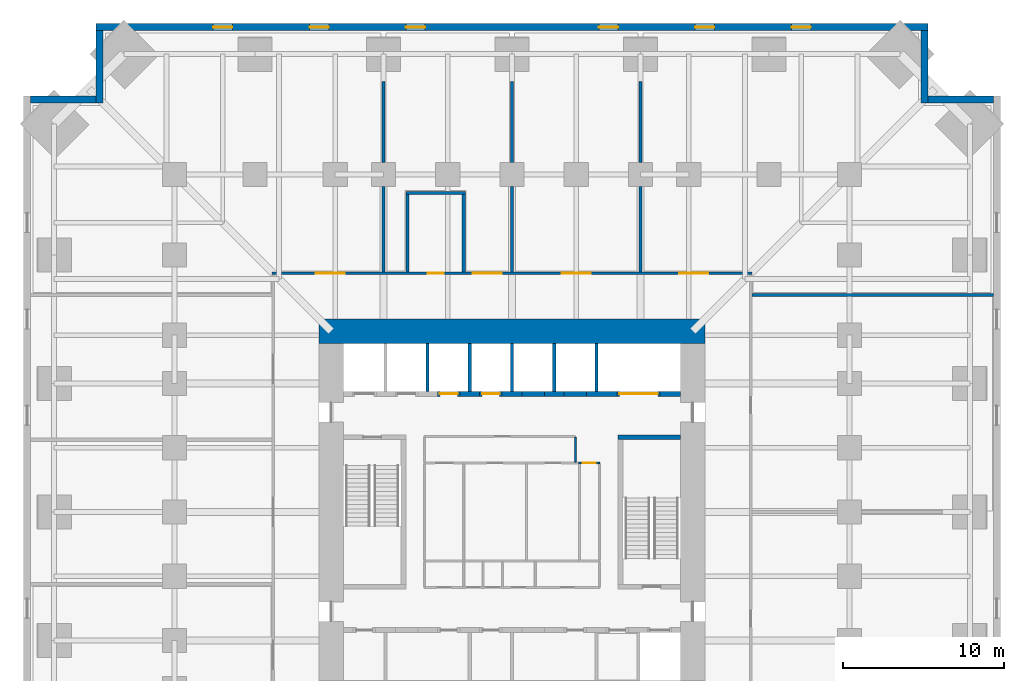
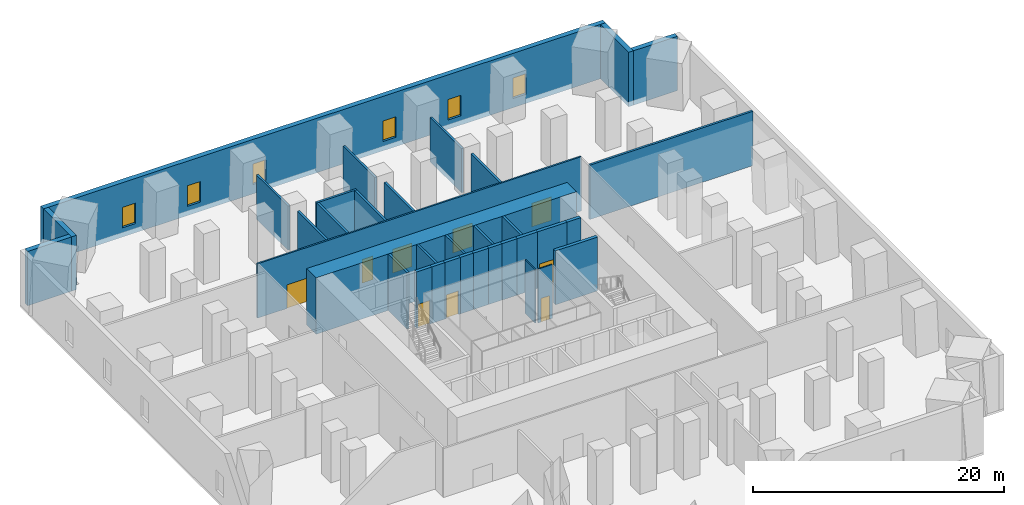
# One storey, part 6 of 8: 35 walls, 9 doors, 6 windows, 15 openings.
"""IFC4 building model written with IfcOpenShell, lengths in metres."""

import ifcopenshell
import ifcopenshell.guid

model = None  # the IFC model being written
_history = None  # IfcOwnerHistory: only IFC2X3 demands one
_inside = {}  # id of a spatial element -> (the spatial element, [elements in it])
_under = {}  # id of a project, library or spatial element -> (it, [spatial elements below it])
_declared = {}  # id of a project -> (the project, [libraries it declares])
_typed = {}  # id of a type object -> (the type object, [elements of that type])
_made_of = {}  # id of a material, layer set ... -> (it, [elements and type objects made of it])


def new_model(schema):
    """Start an empty IFC model of exactly this schema.

    Asked for "IFC4X3", IfcOpenShell would pick the latest addendum, in which some entities
    have other attributes; the version numbers below select the first issue.
    IFC2X3 requires an IfcOwnerHistory on every rooted entity: one is made here for all.
    """
    global model, _history
    if schema == "IFC4X3":
        model = ifcopenshell.file(schema_version=(4, 3, 0, 0))
    else:
        model = ifcopenshell.file(schema=schema)
    _inside.clear()
    _under.clear()
    _declared.clear()
    _typed.clear()
    _made_of.clear()
    _history = None
    if model.schema == "IFC2X3":
        org = make("IfcOrganization", Name="unknown")
        user = make(
            "IfcPersonAndOrganization",
            ThePerson=make("IfcPerson", FamilyName="unknown"),
            TheOrganization=org,
        )
        app = make(
            "IfcApplication",
            ApplicationDeveloper=org,
            Version="unknown",
            ApplicationFullName="unknown",
            ApplicationIdentifier="unknown",
        )
        _history = make(
            "IfcOwnerHistory",
            OwningUser=user,
            OwningApplication=app,
            ChangeAction="ADDED",
            CreationDate=0,
        )
    return model


def make(cls, **values):
    """One entity of the class cls with the attributes given. An attribute that is None is left unset."""
    return model.create_entity(
        cls, **{name: value for name, value in values.items() if value is not None}
    )


def rooted(cls, **values):
    """An entity with a GlobalId (a new one), such as an element, a storey or a relation."""
    return make(cls, GlobalId=ifcopenshell.guid.new(), OwnerHistory=_history, **values)


def si_unit(unit_type, name, prefix=None):
    """IfcSIUnit, for example si_unit("LENGTHUNIT", "METRE", prefix="MILLI")."""
    return make("IfcSIUnit", UnitType=unit_type, Prefix=prefix, Name=name)


def assignment(units):
    """IfcUnitAssignment: the units of a project."""
    return None if units is None else make("IfcUnitAssignment", Units=units)


def point(xyz):
    """IfcCartesianPoint."""
    return None if xyz is None else make("IfcCartesianPoint", Coordinates=xyz)


def direction(xyz):
    """IfcDirection."""
    return None if xyz is None else make("IfcDirection", DirectionRatios=xyz)


def frame(location, z_axis=None, x_axis=None):
    """IfcAxis2Placement3D, a coordinate frame: its origin and axes. An axis left out is left unset."""
    return make(
        "IfcAxis2Placement3D",
        Location=point(location),
        Axis=direction(z_axis),
        RefDirection=direction(x_axis),
    )


def frame_2d(location, x_axis=None):
    """IfcAxis2Placement2D, a coordinate frame in the plane: its origin and x axis."""
    return make(
        "IfcAxis2Placement2D", Location=point(location), RefDirection=direction(x_axis)
    )


def origin():
    """The frame at (0, 0, 0) with its axes left unset."""
    return frame((0.0, 0.0, 0.0))


def place(relative_to, where):
    """IfcLocalPlacement: puts the frame where relative to a parent placement (None: the world)."""
    return make(
        "IfcLocalPlacement", PlacementRelTo=relative_to, RelativePlacement=where
    )


def context(
    kind, dimensions, precision=None, world=None, true_north=None, identifier=None
):
    """IfcGeometricRepresentationContext, for example the 3D "Model" context."""
    return make(
        "IfcGeometricRepresentationContext",
        ContextIdentifier=identifier,
        ContextType=kind,
        CoordinateSpaceDimension=dimensions,
        Precision=precision,
        WorldCoordinateSystem=world,
        TrueNorth=true_north,
    )


def subcontext(parent, identifier, kind, view, scale=None):
    """IfcGeometricRepresentationSubContext, for example "Body" below "Model"."""
    return make(
        "IfcGeometricRepresentationSubContext",
        ContextIdentifier=identifier,
        ContextType=kind,
        ParentContext=parent,
        TargetScale=scale,
        TargetView=view,
    )


def project(units=None, contexts=None):
    """IfcProject with its units and contexts."""
    return rooted(
        "IfcProject",
        Name="project",
        RepresentationContexts=contexts,
        UnitsInContext=assignment(units),
    )


def spatial(cls, under=None, at=None, **own):
    """A site, building, storey or space (cls), placed at a placement, below another one or the project."""
    s = rooted(cls, ObjectPlacement=at, **own)
    if under is not None:
        _under.setdefault(under.id(), (under, []))[1].append(s)
    return s


def profile(cls, at=None, kind="AREA", **sizes):
    """A parametric profile (cls). Its sizes go by their IFC names, for example OverallWidth=200.0."""
    return make(cls, ProfileType=kind, Position=at, **sizes)


def rectangle(**sizes):
    """IfcRectangleProfileDef."""
    return profile("IfcRectangleProfileDef", **sizes)


def extrude(swept, where, along, depth):
    """IfcExtrudedAreaSolid: the profile swept, set in the frame where, extruded along a direction by depth."""
    return make(
        "IfcExtrudedAreaSolid",
        SweptArea=swept,
        Position=where,
        ExtrudedDirection=direction(along),
        Depth=depth,
    )


def shape(context_of_items, identifier, shape_type, items):
    """IfcShapeRepresentation: the items that make up one representation, for example the "Body"."""
    return make(
        "IfcShapeRepresentation",
        ContextOfItems=context_of_items,
        RepresentationIdentifier=identifier,
        RepresentationType=shape_type,
        Items=items,
    )


def material(Name=None, Category=None):
    """IfcMaterial."""
    return make("IfcMaterial", Name=Name, Category=Category)


def layer(
    of_material, thickness, ventilated=None, Name=None, Category=None, Priority=None
):
    """IfcMaterialLayer: one layer of a wall or slab, of a material (None: an air gap)."""
    return make(
        "IfcMaterialLayer",
        Material=of_material,
        LayerThickness=thickness,
        IsVentilated=ventilated,
        Name=Name,
        Category=Category,
        Priority=Priority,
    )


def layer_set(layers, Name=None):
    """IfcMaterialLayerSet."""
    return make("IfcMaterialLayerSet", MaterialLayers=layers, LayerSetName=Name)


def made_of(thing, what):
    """Note that an element or type object is made of a material, layer set ...; save() writes the relation."""
    if what is not None:
        _made_of.setdefault(what.id(), (what, []))[1].append(thing)
    return thing


def type_object(cls, material=None, **own):
    """A type object (cls), such as IfcWallType, which elements share."""
    return made_of(rooted(cls, **own), material)


def element(
    cls,
    number,
    at=None,
    inside=None,
    cuts=None,
    type_object=None,
    material=None,
    context=None,
    identifier="Body",
    shape_type=None,
    held_by="IfcProductDefinitionShape",
    body=None,
    shapes=None,
    **own,
):
    """One element of the class cls, such as IfcWall. Its Tag is "e" and its number.

    at: its placement. inside: the storey or other place that contains it. cuts: it is an
    opening in that element (IfcRelVoidsElement). A single representation is given by context,
    identifier, shape_type and body (its items); several are given by shapes. held_by: the class
    of the entity that holds the representations. save() writes the other relations.
    """
    e = rooted(cls, Tag="e%d" % number, ObjectPlacement=at, **own)
    if body is not None:
        shapes = [shape(context, identifier, shape_type, body)]
    if shapes is not None:
        e.Representation = make(held_by, Representations=shapes)
    if inside is not None:
        _inside.setdefault(inside.id(), (inside, []))[1].append(e)
    if cuts is not None:
        rooted(
            "IfcRelVoidsElement", RelatingBuildingElement=cuts, RelatedOpeningElement=e
        )
    if type_object is not None:
        _typed.setdefault(type_object.id(), (type_object, []))[1].append(e)
    return made_of(e, material)


def fill(opening, filler):
    """IfcRelFillsElement: the door or window that sits in an opening."""
    return rooted(
        "IfcRelFillsElement",
        RelatingOpeningElement=opening,
        RelatedBuildingElement=filler,
    )


def aggregate(whole, parts):
    """IfcRelAggregates: a whole, such as a stair, and the parts it consists of."""
    return rooted("IfcRelAggregates", RelatingObject=whole, RelatedObjects=parts)


def save(model, path):
    """Write the relations noted so far, then the file.

    IfcRelAggregates (storeys below a building ...), IfcRelContainedInSpatialStructure (elements
    in a storey), IfcRelDefinesByType, IfcRelAssociatesMaterial and IfcRelDeclares: one each for
    every whole, place, type object, material and project.
    """
    for whole, parts in _under.values():
        aggregate(whole, parts)
    for where, things in _inside.values():
        rooted(
            "IfcRelContainedInSpatialStructure",
            RelatedElements=things,
            RelatingStructure=where,
        )
    for kind, things in _typed.values():
        rooted("IfcRelDefinesByType", RelatedObjects=things, RelatingType=kind)
    for what, things in _made_of.values():
        rooted("IfcRelAssociatesMaterial", RelatedObjects=things, RelatingMaterial=what)
    for by, libraries in _declared.values():
        rooted("IfcRelDeclares", RelatingContext=by, RelatedDefinitions=libraries)
    model.write(path)


model = new_model("IFC4")

# Units and contexts
model_context = context("Model", 3, precision=1e-05, world=origin(), true_north=direction((0.0, 1.0)))
body_context = subcontext(model_context, "Body", "Model", "MODEL_VIEW")
ifc_project = project(units=[si_unit("LENGTHUNIT", "METRE"), si_unit("AREAUNIT", "SQUARE_METRE"), si_unit("VOLUMEUNIT", "CUBIC_METRE"), si_unit("PLANEANGLEUNIT", "RADIAN"), si_unit("MASSUNIT", "GRAM", prefix="KILO")], contexts=[model_context])

# Site, building, storey
site_placement = place(None, origin())
site = spatial("IfcSite", under=ifc_project, at=site_placement, CompositionType="ELEMENT")
building_placement = place(site_placement, origin())
building = spatial("IfcBuilding", under=site, at=building_placement, Name="Peilmerk Tower", CompositionType="ELEMENT")
storey_placement = place(building_placement, frame((0.0, 0.0, 59.5)))
storey = spatial("IfcBuildingStorey", under=building, at=storey_placement, Name="L11", CompositionType="ELEMENT", Elevation=59.5)

# Wall, openings, windows
ifc_material_1 = material(Name="Precast concrete C45/55, board-marked finish", Category="concrete")
ifc_layer_1 = layer(ifc_material_1, 0.449951171875)
ifc_layer_set_1 = layer_set([ifc_layer_1], Name="Precast concrete C45/55, board-marked finish")
wall_type_1 = type_object("IfcWallType", Name="EW1 450 precast concrete facade wall, board-marked", PredefinedType="SOLIDWALL", material=ifc_layer_set_1)
wall_1_placement = place(storey_placement, frame((25.89990234375, 30.175048828125, 0.0), z_axis=(0.0, 0.0, 1.0), x_axis=(-1.0, 0.0, 0.0)))
wall_1 = element("IfcWall", 1, at=wall_1_placement, inside=storey, type_object=wall_type_1, Name="Facade wall N L11", PredefinedType="SOLIDWALL", context=body_context, shape_type="SweptSolid", body=[
    extrude(rectangle(XDim=51.7998046875, YDim=0.449951171875, at=frame_2d((25.89990234375, 0.0))), origin(), (0.0, 0.0, 1.0), 5.300048828125),
])
opening_1_placement = place(wall_1_placement, frame((7.300048828125, 0.0, 0.89990234375)))
opening_1 = element("IfcOpeningElement", 2, at=opening_1_placement, cuts=wall_1, Name="Opening W2", PredefinedType="OPENING", context=body_context, shape_type="SweptSolid", body=[
    extrude(rectangle(XDim=1.199951171875, YDim=2.0, at=frame_2d((0.60009765625, 1.0))), frame((0.0, 0.23486328125, 0.0), z_axis=(0.0, -1.0, 0.0), x_axis=(1.0, 0.0, 0.0)), (0.0, 0.0, 1.0), 0.469970703125),
])
opening_2_placement = place(wall_1_placement, frame((13.300048828125, 0.0, 0.89990234375)))
opening_2 = element("IfcOpeningElement", 3, at=opening_2_placement, cuts=wall_1, Name="Opening W2", PredefinedType="OPENING", context=body_context, shape_type="SweptSolid", body=[
    extrude(rectangle(XDim=1.199951171875, YDim=2.0, at=frame_2d((0.60009765625, 1.0))), frame((0.0, 0.23486328125, 0.0), z_axis=(0.0, -1.0, 0.0), x_axis=(1.0, 0.0, 0.0)), (0.0, 0.0, 1.0), 0.469970703125),
])
opening_3_placement = place(wall_1_placement, frame((19.300048828125, 0.0, 0.89990234375)))
opening_3 = element("IfcOpeningElement", 4, at=opening_3_placement, cuts=wall_1, Name="Opening W2", PredefinedType="OPENING", context=body_context, shape_type="SweptSolid", body=[
    extrude(rectangle(XDim=1.199951171875, YDim=2.0, at=frame_2d((0.60009765625, 1.0))), frame((0.0, 0.23486328125, 0.0), z_axis=(0.0, -1.0, 0.0), x_axis=(1.0, 0.0, 0.0)), (0.0, 0.0, 1.0), 0.469970703125),
])
opening_4_placement = place(wall_1_placement, frame((31.300048828125, 0.0, 0.89990234375)))
opening_4 = element("IfcOpeningElement", 5, at=opening_4_placement, cuts=wall_1, Name="Opening W2", PredefinedType="OPENING", context=body_context, shape_type="SweptSolid", body=[
    extrude(rectangle(XDim=1.199951171875, YDim=2.0, at=frame_2d((0.60009765625, 1.0))), frame((0.0, 0.23486328125, 0.0), z_axis=(0.0, -1.0, 0.0), x_axis=(1.0, 0.0, 0.0)), (0.0, 0.0, 1.0), 0.469970703125),
])
opening_5_placement = place(wall_1_placement, frame((37.300048828125, 0.0, 0.89990234375)))
opening_5 = element("IfcOpeningElement", 6, at=opening_5_placement, cuts=wall_1, Name="Opening W2", PredefinedType="OPENING", context=body_context, shape_type="SweptSolid", body=[
    extrude(rectangle(XDim=1.199951171875, YDim=2.0, at=frame_2d((0.60009765625, 1.0))), frame((0.0, 0.23486328125, 0.0), z_axis=(0.0, -1.0, 0.0), x_axis=(1.0, 0.0, 0.0)), (0.0, 0.0, 1.0), 0.469970703125),
])
opening_6_placement = place(wall_1_placement, frame((43.300048828125, 0.0, 0.89990234375)))
opening_6 = element("IfcOpeningElement", 7, at=opening_6_placement, cuts=wall_1, Name="Opening W2", PredefinedType="OPENING", context=body_context, shape_type="SweptSolid", body=[
    extrude(rectangle(XDim=1.199951171875, YDim=2.0, at=frame_2d((0.60009765625, 1.0))), frame((0.0, 0.23486328125, 0.0), z_axis=(0.0, -1.0, 0.0), x_axis=(1.0, 0.0, 0.0)), (0.0, 0.0, 1.0), 0.469970703125),
])
ifc_material_2 = material(Name="Aluminium frame, clear double glazing", Category="aluminium")
window_type = type_object("IfcWindowType", Name="W2 1200x2000 data hall slot window", PartitioningType="SINGLE_PANEL", PredefinedType="WINDOW", material=ifc_material_2)
window_1_placement = place(opening_1_placement, origin())
window_1 = element("IfcWindow", 8, at=window_1_placement, inside=storey, type_object=window_type, Name="Window W2 L11", OverallHeight=2.0, OverallWidth=1.199951171875, PartitioningType="SINGLE_PANEL", PredefinedType="WINDOW", context=body_context, shape_type="SweptSolid", body=[
    extrude(rectangle(XDim=1.199951171875, YDim=2.0, at=frame_2d((0.60009765625, 1.0))), frame((0.0, 0.030029296875, 0.0), z_axis=(0.0, -1.0, 0.0), x_axis=(1.0, 0.0, 0.0)), (0.0, 0.0, 1.0), 0.06005859375),
])
fill(opening_1, window_1)
window_2_placement = place(opening_2_placement, origin())
window_2 = element("IfcWindow", 9, at=window_2_placement, inside=storey, type_object=window_type, Name="Window W2 L11", OverallHeight=2.0, OverallWidth=1.199951171875, PartitioningType="SINGLE_PANEL", PredefinedType="WINDOW", context=body_context, shape_type="SweptSolid", body=[
    extrude(rectangle(XDim=1.199951171875, YDim=2.0, at=frame_2d((0.60009765625, 1.0))), frame((0.0, 0.030029296875, 0.0), z_axis=(0.0, -1.0, 0.0), x_axis=(1.0, 0.0, 0.0)), (0.0, 0.0, 1.0), 0.06005859375),
])
fill(opening_2, window_2)
window_3_placement = place(opening_3_placement, origin())
window_3 = element("IfcWindow", 10, at=window_3_placement, inside=storey, type_object=window_type, Name="Window W2 L11", OverallHeight=2.0, OverallWidth=1.199951171875, PartitioningType="SINGLE_PANEL", PredefinedType="WINDOW", context=body_context, shape_type="SweptSolid", body=[
    extrude(rectangle(XDim=1.199951171875, YDim=2.0, at=frame_2d((0.60009765625, 1.0))), frame((0.0, 0.030029296875, 0.0), z_axis=(0.0, -1.0, 0.0), x_axis=(1.0, 0.0, 0.0)), (0.0, 0.0, 1.0), 0.06005859375),
])
fill(opening_3, window_3)
window_4_placement = place(opening_4_placement, origin())
window_4 = element("IfcWindow", 11, at=window_4_placement, inside=storey, type_object=window_type, Name="Window W2 L11", OverallHeight=2.0, OverallWidth=1.199951171875, PartitioningType="SINGLE_PANEL", PredefinedType="WINDOW", context=body_context, shape_type="SweptSolid", body=[
    extrude(rectangle(XDim=1.199951171875, YDim=2.0, at=frame_2d((0.60009765625, 1.0))), frame((0.0, 0.030029296875, 0.0), z_axis=(0.0, -1.0, 0.0), x_axis=(1.0, 0.0, 0.0)), (0.0, 0.0, 1.0), 0.06005859375),
])
fill(opening_4, window_4)
window_5_placement = place(opening_5_placement, origin())
window_5 = element("IfcWindow", 12, at=window_5_placement, inside=storey, type_object=window_type, Name="Window W2 L11", OverallHeight=2.0, OverallWidth=1.199951171875, PartitioningType="SINGLE_PANEL", PredefinedType="WINDOW", context=body_context, shape_type="SweptSolid", body=[
    extrude(rectangle(XDim=1.199951171875, YDim=2.0, at=frame_2d((0.60009765625, 1.0))), frame((0.0, 0.030029296875, 0.0), z_axis=(0.0, -1.0, 0.0), x_axis=(1.0, 0.0, 0.0)), (0.0, 0.0, 1.0), 0.06005859375),
])
fill(opening_5, window_5)
window_6_placement = place(opening_6_placement, origin())
window_6 = element("IfcWindow", 13, at=window_6_placement, inside=storey, type_object=window_type, Name="Window W2 L11", OverallHeight=2.0, OverallWidth=1.199951171875, PartitioningType="SINGLE_PANEL", PredefinedType="WINDOW", context=body_context, shape_type="SweptSolid", body=[
    extrude(rectangle(XDim=1.199951171875, YDim=2.0, at=frame_2d((0.60009765625, 1.0))), frame((0.0, 0.030029296875, 0.0), z_axis=(0.0, -1.0, 0.0), x_axis=(1.0, 0.0, 0.0)), (0.0, 0.0, 1.0), 0.06005859375),
])
fill(opening_6, window_6)

# Walls
wall_2_placement = place(storey_placement, frame((25.675048828125, 25.449951171875, 0.0), z_axis=(0.0, 0.0, 1.0), x_axis=(0.0, 1.0, 0.0)))
element("IfcWall", 14, at=wall_2_placement, inside=storey, type_object=wall_type_1, Name="Facade wall NEA L11", PredefinedType="SOLIDWALL", context=body_context, shape_type="SweptSolid", body=[
    extrude(rectangle(XDim=4.5, YDim=0.449951171875, at=frame_2d((2.25, 0.0))), origin(), (0.0, 0.0, 1.0), 5.300048828125),
])
wall_3_placement = place(storey_placement, frame((25.89990234375, 25.675048828125, 0.0), z_axis=(0.0, 0.0, 1.0), x_axis=(1.0, 0.0, 0.0)))
element("IfcWall", 15, at=wall_3_placement, inside=storey, type_object=wall_type_1, Name="Facade wall NEB L11", PredefinedType="SOLIDWALL", context=body_context, shape_type="SweptSolid", body=[
    extrude(rectangle(XDim=4.050048828125, YDim=0.449951171875, at=frame_2d((2.02490234375, 0.0))), origin(), (0.0, 0.0, 1.0), 5.300048828125),
])
wall_4_placement = place(storey_placement, frame((-25.675048828125, 25.449951171875, 0.0), z_axis=(0.0, 0.0, 1.0), x_axis=(0.0, 1.0, 0.0)))
element("IfcWall", 16, at=wall_4_placement, inside=storey, type_object=wall_type_1, Name="Facade wall NWA L11", PredefinedType="SOLIDWALL", context=body_context, shape_type="SweptSolid", body=[
    extrude(rectangle(XDim=4.5, YDim=0.449951171875, at=frame_2d((2.25, 0.0))), origin(), (0.0, 0.0, 1.0), 5.300048828125),
])
wall_5_placement = place(storey_placement, frame((-25.89990234375, 25.675048828125, 0.0), z_axis=(0.0, 0.0, 1.0), x_axis=(-1.0, 0.0, 0.0)))
element("IfcWall", 17, at=wall_5_placement, inside=storey, type_object=wall_type_1, Name="Facade wall NWB L11", PredefinedType="SOLIDWALL", context=body_context, shape_type="SweptSolid", body=[
    extrude(rectangle(XDim=4.050048828125, YDim=0.449951171875, at=frame_2d((2.02490234375, 0.0))), origin(), (0.0, 0.0, 1.0), 5.300048828125),
])

# Wall, openings, doors
ifc_material_3 = material(Name="Calcium silicate block", Category="masonry")
ifc_layer_2 = layer(ifc_material_3, 0.14990234375)
ifc_layer_set_2 = layer_set([ifc_layer_2], Name="Calcium silicate block")
wall_type_2 = type_object("IfcWallType", Name="IW1 150 corridor partition, EI 60", PredefinedType="PARTITIONING", material=ifc_layer_set_2)
wall_6_placement = place(storey_placement, frame((-14.925048828125, 14.85009765625, 0.0), z_axis=(0.0, 0.0, 1.0), x_axis=(1.0, 0.0, 0.0)))
wall_6 = element("IfcWall", 18, at=wall_6_placement, inside=storey, type_object=wall_type_2, Name="Corridor wall N L11", PredefinedType="PARTITIONING", context=body_context, shape_type="SweptSolid", body=[
    extrude(rectangle(XDim=29.85009765625, YDim=0.14990234375, at=frame_2d((14.925048828125, 0.0))), origin(), (0.0, 0.0, 1.0), 5.300048828125),
])
opening_7_placement = place(wall_6_placement, frame((2.72509765625, 0.0, 0.0)))
opening_7 = element("IfcOpeningElement", 19, at=opening_7_placement, cuts=wall_6, Name="Opening D2", PredefinedType="OPENING", context=body_context, shape_type="SweptSolid", body=[
    extrude(rectangle(XDim=1.800048828125, YDim=2.300048828125, at=frame_2d((0.89990234375, 1.14990234375))), frame((0.0, 0.0849609375, 0.0), z_axis=(0.0, -1.0, 0.0), x_axis=(1.0, 0.0, 0.0)), (0.0, 0.0, 1.0), 0.169921875),
])
opening_8_placement = place(wall_6_placement, frame((12.47509765625, 0.0, 0.0)))
opening_8 = element("IfcOpeningElement", 20, at=opening_8_placement, cuts=wall_6, Name="Opening D2", PredefinedType="OPENING", context=body_context, shape_type="SweptSolid", body=[
    extrude(rectangle(XDim=1.800048828125, YDim=2.300048828125, at=frame_2d((0.89990234375, 1.14990234375))), frame((0.0, 0.0849609375, 0.0), z_axis=(0.0, -1.0, 0.0), x_axis=(1.0, 0.0, 0.0)), (0.0, 0.0, 1.0), 0.169921875),
])
opening_9_placement = place(wall_6_placement, frame((18.02490234375, 0.0, 0.0)))
opening_9 = element("IfcOpeningElement", 21, at=opening_9_placement, cuts=wall_6, Name="Opening D2", PredefinedType="OPENING", context=body_context, shape_type="SweptSolid", body=[
    extrude(rectangle(XDim=1.800048828125, YDim=2.300048828125, at=frame_2d((0.89990234375, 1.14990234375))), frame((0.0, 0.0849609375, 0.0), z_axis=(0.0, -1.0, 0.0), x_axis=(1.0, 0.0, 0.0)), (0.0, 0.0, 1.0), 0.169921875),
])
opening_10_placement = place(wall_6_placement, frame((25.324951171875, 0.0, 0.0)))
opening_10 = element("IfcOpeningElement", 22, at=opening_10_placement, cuts=wall_6, Name="Opening D2", PredefinedType="OPENING", context=body_context, shape_type="SweptSolid", body=[
    extrude(rectangle(XDim=1.800048828125, YDim=2.300048828125, at=frame_2d((0.89990234375, 1.14990234375))), frame((0.0, 0.0849609375, 0.0), z_axis=(0.0, -1.0, 0.0), x_axis=(1.0, 0.0, 0.0)), (0.0, 0.0, 1.0), 0.169921875),
])
opening_11_placement = place(wall_6_placement, frame((9.675048828125, 0.0, 0.0)))
opening_11 = element("IfcOpeningElement", 23, at=opening_11_placement, cuts=wall_6, Name="Opening D1", PredefinedType="OPENING", context=body_context, shape_type="SweptSolid", body=[
    extrude(rectangle(XDim=1.0, YDim=2.300048828125, at=frame_2d((0.5, 1.14990234375))), frame((0.0, 0.0849609375, 0.0), z_axis=(0.0, -1.0, 0.0), x_axis=(1.0, 0.0, 0.0)), (0.0, 0.0, 1.0), 0.169921875),
])
ifc_material_4 = material(Name="Timber door in steel frame", Category="steel")
door_type_1 = type_object("IfcDoorType", Name="D1 1000x2300 room door, EI2 30", OperationType="SINGLE_SWING_LEFT", PredefinedType="DOOR", material=ifc_material_4)
door_1_placement = place(opening_11_placement, origin())
door_1 = element("IfcDoor", 24, at=door_1_placement, inside=storey, type_object=door_type_1, Name="Door Customer meeting room L11", OperationType="SINGLE_SWING_LEFT", OverallHeight=2.300048828125, OverallWidth=1.0, PredefinedType="DOOR", context=body_context, shape_type="SweptSolid", body=[
    extrude(rectangle(XDim=1.0, YDim=2.300048828125, at=frame_2d((0.5, 1.14990234375))), frame((0.0, 0.02490234375, 0.0), z_axis=(0.0, -1.0, 0.0), x_axis=(1.0, 0.0, 0.0)), (0.0, 0.0, 1.0), 0.050048828125),
])
fill(opening_11, door_1)
ifc_material_5 = material(Name="Steel door in steel frame", Category="steel")
door_type_2 = type_object("IfcDoorType", Name="D2 1800x2300 double door, EI2 60", OperationType="DOUBLE_DOOR_DOUBLE_SWING", PredefinedType="DOOR", material=ifc_material_5)
door_2_placement = place(opening_7_placement, origin())
door_2 = element("IfcDoor", 25, at=door_2_placement, inside=storey, type_object=door_type_2, Name="Door Data suite A L11", OperationType="DOUBLE_DOOR_DOUBLE_SWING", OverallHeight=2.300048828125, OverallWidth=1.800048828125, PredefinedType="DOOR", context=body_context, shape_type="SweptSolid", body=[
    extrude(rectangle(XDim=1.800048828125, YDim=2.300048828125, at=frame_2d((0.89990234375, 1.14990234375))), frame((0.0, 0.02490234375, 0.0), z_axis=(0.0, -1.0, 0.0), x_axis=(1.0, 0.0, 0.0)), (0.0, 0.0, 1.0), 0.050048828125),
])
fill(opening_7, door_2)
door_3_placement = place(opening_8_placement, origin())
door_3 = element("IfcDoor", 26, at=door_3_placement, inside=storey, type_object=door_type_2, Name="Door Data suite B L11", OperationType="DOUBLE_DOOR_DOUBLE_SWING", OverallHeight=2.300048828125, OverallWidth=1.800048828125, PredefinedType="DOOR", context=body_context, shape_type="SweptSolid", body=[
    extrude(rectangle(XDim=1.800048828125, YDim=2.300048828125, at=frame_2d((0.89990234375, 1.14990234375))), frame((0.0, 0.02490234375, 0.0), z_axis=(0.0, -1.0, 0.0), x_axis=(1.0, 0.0, 0.0)), (0.0, 0.0, 1.0), 0.050048828125),
])
fill(opening_8, door_3)
door_4_placement = place(opening_9_placement, origin())
door_4 = element("IfcDoor", 27, at=door_4_placement, inside=storey, type_object=door_type_2, Name="Door Data suite C L11", OperationType="DOUBLE_DOOR_DOUBLE_SWING", OverallHeight=2.300048828125, OverallWidth=1.800048828125, PredefinedType="DOOR", context=body_context, shape_type="SweptSolid", body=[
    extrude(rectangle(XDim=1.800048828125, YDim=2.300048828125, at=frame_2d((0.89990234375, 1.14990234375))), frame((0.0, 0.02490234375, 0.0), z_axis=(0.0, -1.0, 0.0), x_axis=(1.0, 0.0, 0.0)), (0.0, 0.0, 1.0), 0.050048828125),
])
fill(opening_9, door_4)
door_5_placement = place(opening_10_placement, origin())
door_5 = element("IfcDoor", 28, at=door_5_placement, inside=storey, type_object=door_type_2, Name="Door Data suite D L11", OperationType="DOUBLE_DOOR_DOUBLE_SWING", OverallHeight=2.300048828125, OverallWidth=1.800048828125, PredefinedType="DOOR", context=body_context, shape_type="SweptSolid", body=[
    extrude(rectangle(XDim=1.800048828125, YDim=2.300048828125, at=frame_2d((0.89990234375, 1.14990234375))), frame((0.0, 0.02490234375, 0.0), z_axis=(0.0, -1.0, 0.0), x_axis=(1.0, 0.0, 0.0)), (0.0, 0.0, 1.0), 0.050048828125),
])
fill(opening_10, door_5)

# Walls
ifc_layer_3 = layer(ifc_material_3, 0.199951171875)
ifc_layer_set_3 = layer_set([ifc_layer_3], Name="Calcium silicate block")
wall_type_3 = type_object("IfcWallType", Name="IW2 200 room separating wall, EI 120", PredefinedType="PARTITIONING", material=ifc_layer_set_3)
wall_7_placement = place(storey_placement, frame((14.925048828125, 13.5, 0.0), z_axis=(0.0, 0.0, 1.0), x_axis=(1.0, 0.0, 0.0)))
element("IfcWall", 29, at=wall_7_placement, inside=storey, type_object=wall_type_3, Name="Room separating wall NE L11", PredefinedType="PARTITIONING", context=body_context, shape_type="SweptSolid", body=[
    extrude(rectangle(XDim=15.02490234375, YDim=0.199951171875, at=frame_2d((7.512451171875, 0.0))), origin(), (0.0, 0.0, 1.0), 5.300048828125),
])
wall_8_placement = place(storey_placement, frame((-8.0, 14.925048828125, 0.0), z_axis=(0.0, 0.0, 1.0), x_axis=(0.0, 1.0, 0.0)))
element("IfcWall", 30, at=wall_8_placement, inside=storey, type_object=wall_type_3, Name="Room separating wall N1 L11", PredefinedType="PARTITIONING", context=body_context, shape_type="SweptSolid", body=[
    extrude(rectangle(XDim=5.324951171875, YDim=0.199951171875, at=frame_2d((2.66259765625, 0.0))), origin(), (0.0, 0.0, 1.0), 4.73095703125),
])
wall_9_placement = place(storey_placement, frame((-8.0, 21.75, 0.0), z_axis=(0.0, 0.0, 1.0), x_axis=(0.0, 1.0, 0.0)))
element("IfcWall", 31, at=wall_9_placement, inside=storey, type_object=wall_type_3, Name="Room separating wall N1b L11", PredefinedType="PARTITIONING", context=body_context, shape_type="SweptSolid", body=[
    extrude(rectangle(XDim=5.040771484375, YDim=0.199951171875, at=frame_2d((2.5205078125, 0.0))), origin(), (0.0, 0.0, 1.0), 4.300048828125),
])
wall_10_placement = place(storey_placement, frame((0.0, 14.925048828125, 0.0), z_axis=(0.0, 0.0, 1.0), x_axis=(0.0, 1.0, 0.0)))
element("IfcWall", 32, at=wall_10_placement, inside=storey, type_object=wall_type_3, Name="Room separating wall N2 L11", PredefinedType="PARTITIONING", context=body_context, shape_type="SweptSolid", body=[
    extrude(rectangle(XDim=5.324951171875, YDim=0.199951171875, at=frame_2d((2.66259765625, 0.0))), origin(), (0.0, 0.0, 1.0), 4.73095703125),
])
wall_11_placement = place(storey_placement, frame((0.0, 21.75, 0.0), z_axis=(0.0, 0.0, 1.0), x_axis=(0.0, 1.0, 0.0)))
element("IfcWall", 33, at=wall_11_placement, inside=storey, type_object=wall_type_3, Name="Room separating wall N2b L11", PredefinedType="PARTITIONING", context=body_context, shape_type="SweptSolid", body=[
    extrude(rectangle(XDim=5.040771484375, YDim=0.199951171875, at=frame_2d((2.5205078125, 0.0))), origin(), (0.0, 0.0, 1.0), 4.300048828125),
])
wall_12_placement = place(storey_placement, frame((8.0, 14.925048828125, 0.0), z_axis=(0.0, 0.0, 1.0), x_axis=(0.0, 1.0, 0.0)))
element("IfcWall", 34, at=wall_12_placement, inside=storey, type_object=wall_type_3, Name="Room separating wall N3 L11", PredefinedType="PARTITIONING", context=body_context, shape_type="SweptSolid", body=[
    extrude(rectangle(XDim=5.324951171875, YDim=0.199951171875, at=frame_2d((2.66259765625, 0.0))), origin(), (0.0, 0.0, 1.0), 4.73095703125),
])
wall_13_placement = place(storey_placement, frame((8.0, 21.75, 0.0), z_axis=(0.0, 0.0, 1.0), x_axis=(0.0, 1.0, 0.0)))
element("IfcWall", 35, at=wall_13_placement, inside=storey, type_object=wall_type_3, Name="Room separating wall N3b L11", PredefinedType="PARTITIONING", context=body_context, shape_type="SweptSolid", body=[
    extrude(rectangle(XDim=5.040771484375, YDim=0.199951171875, at=frame_2d((2.5205078125, 0.0))), origin(), (0.0, 0.0, 1.0), 4.300048828125),
])
wall_14_placement = place(storey_placement, frame((-6.60009765625, 19.85009765625, 0.0), z_axis=(0.0, 0.0, 1.0), x_axis=(1.0, 0.0, 0.0)))
element("IfcWall", 36, at=wall_14_placement, inside=storey, type_object=wall_type_3, Name="Room separating wall Customer meeting room L11", PredefinedType="PARTITIONING", context=body_context, shape_type="SweptSolid", body=[
    extrude(rectangle(XDim=3.7001953125, YDim=0.199951171875, at=frame_2d((1.85009765625, 0.0))), origin(), (0.0, 0.0, 1.0), 5.300048828125),
])
for number, where, z_axis, x_axis, name in (
    (37, (-6.5, 14.925048828125, 0.0), (0.0, 0.0, 1.0), (0.0, 1.0, 0.0), "Room separating wall Customer meeting room L11"),
    (38, (-3.0, 14.925048828125, 0.0), (0.0, 0.0, 1.0), (0.0, 1.0, 0.0), "Room separating wall Customer meeting room L11"),
):
    element("IfcWall", number, at=place(storey_placement, frame(where, z_axis=z_axis, x_axis=x_axis)), inside=storey, type_object=wall_type_3, Name=name, PredefinedType="PARTITIONING", context=body_context, shape_type="SweptSolid", body=[
        extrude(rectangle(XDim=4.824951171875, YDim=0.199951171875, at=frame_2d((2.41259765625, 0.0))), origin(), (0.0, 0.0, 1.0), 5.300048828125),
    ])
ifc_material_6 = material(Name="Concrete C35/45", Category="concrete")
ifc_layer_4 = layer(ifc_material_6, 0.300048828125)
ifc_layer_set_4 = layer_set([ifc_layer_4], Name="Concrete C35/45")
wall_type_4 = type_object("IfcWallType", Name="IW3 300 concrete stair enclosure wall, EI 120", PredefinedType="SOLIDWALL", material=ifc_layer_set_4)
wall_15_placement = place(storey_placement, frame((6.60009765625, 4.64990234375, 0.0), z_axis=(0.0, 0.0, 1.0), x_axis=(1.0, 0.0, 0.0)))
element("IfcWall", 39, at=wall_15_placement, inside=storey, type_object=wall_type_4, Name="Stair 2 enclosure L11", PredefinedType="SOLIDWALL", context=body_context, shape_type="SweptSolid", body=[
    extrude(rectangle(XDim=3.89990234375, YDim=0.300048828125, at=frame_2d((1.949951171875, 0.0))), origin(), (0.0, 0.0, 1.0), 5.25),
])

# Wall, opening, door
ifc_material_7 = material(Name="Calcium silicate board on steel studs", Category="steel")
ifc_layer_5 = layer(ifc_material_7, 0.10009765625)
ifc_layer_set_5 = layer_set([ifc_layer_5], Name="Calcium silicate board on steel studs")
wall_type_5 = type_object("IfcWallType", Name="IW5 100 riser enclosure wall, EI 60", PredefinedType="PARTITIONING", material=ifc_layer_set_5)
wall_16_placement = place(storey_placement, frame((4.14990234375, 3.050048828125, 0.0), z_axis=(0.0, 0.0, 1.0), x_axis=(1.0, 0.0, 0.0)))
wall_16 = element("IfcWall", 40, at=wall_16_placement, inside=storey, type_object=wall_type_5, Name="Riser wall L11", PredefinedType="PARTITIONING", context=body_context, shape_type="SweptSolid", body=[
    extrude(rectangle(XDim=1.300048828125, YDim=0.10009765625, at=frame_2d((0.64990234375, 0.0))), origin(), (0.0, 0.0, 1.0), 5.25),
])
opening_12_placement = place(wall_16_placement, frame((0.25, 0.0, 0.0)))
opening_12 = element("IfcOpeningElement", 41, at=opening_12_placement, cuts=wall_16, Name="Opening D7", PredefinedType="OPENING", context=body_context, shape_type="SweptSolid", body=[
    extrude(rectangle(XDim=0.800048828125, YDim=2.300048828125, at=frame_2d((0.39990234375, 1.14990234375))), frame((0.0, 0.06005859375, 0.0), z_axis=(0.0, -1.0, 0.0), x_axis=(1.0, 0.0, 0.0)), (0.0, 0.0, 1.0), 0.1201171875),
])
door_type_3 = type_object("IfcDoorType", Name="D7 800x2300 riser access door, EI2 60", OperationType="SINGLE_SWING_RIGHT", PredefinedType="DOOR", material=ifc_material_5)
door_6_placement = place(opening_12_placement, frame((0.800048828125, 0.0, 0.0), z_axis=(0.0, 0.0, 1.0), x_axis=(-1.0, 0.0, 0.0)))
door_6 = element("IfcDoor", 42, at=door_6_placement, inside=storey, type_object=door_type_3, Name="Plumbing riser door L11", OperationType="SINGLE_SWING_RIGHT", OverallHeight=2.300048828125, OverallWidth=0.800048828125, PredefinedType="DOOR", context=body_context, shape_type="SweptSolid", body=[
    extrude(rectangle(XDim=0.800048828125, YDim=2.300048828125, at=frame_2d((0.39990234375, 1.14990234375))), frame((0.0, 0.02490234375, 0.0), z_axis=(0.0, -1.0, 0.0), x_axis=(1.0, 0.0, 0.0)), (0.0, 0.0, 1.0), 0.050048828125),
])
fill(opening_12, door_6)

# Walls
ifc_material_8 = material(Name="Fire-resisting plasterboard on steel studs", Category="steel")
ifc_layer_6 = layer(ifc_material_8, 0.10009765625)
ifc_layer_set_6 = layer_set([ifc_layer_6], Name="Fire-resisting plasterboard on steel studs")
wall_type_6 = type_object("IfcWallType", Name="IW9 100 WC lobby wall, EI 30", PredefinedType="PARTITIONING", material=ifc_layer_set_6)
wall_17_placement = place(storey_placement, frame((3.949951171875, 3.10009765625, 0.0), z_axis=(0.0, 0.0, 1.0), x_axis=(0.0, 1.0, 0.0)))
element("IfcWall", 43, at=wall_17_placement, inside=storey, type_object=wall_type_6, Name="WC lobby wall L11", PredefinedType="PARTITIONING", context=body_context, shape_type="SweptSolid", body=[
    extrude(rectangle(XDim=1.5498046875, YDim=0.10009765625, at=frame_2d((0.77490234375, 0.0))), origin(), (0.0, 0.0, 1.0), 5.25),
])
ifc_layer_7 = layer(ifc_material_3, 0.199951171875)
ifc_layer_set_7 = layer_set([ifc_layer_7], Name="Calcium silicate block")
wall_type_7 = type_object("IfcWallType", Name="SH1 200 shaft dividing wall, EI 120", PredefinedType="PARTITIONING", material=ifc_layer_set_7)
for number, where, z_axis, x_axis, name in (
    (44, (-5.25, 7.5, 0.0), (0.0, 0.0, 1.0), (0.0, 1.0, 0.0), "Shaft wall N A1 L11"),
    (45, (-2.625, 7.5, 0.0), (0.0, 0.0, 1.0), (0.0, 1.0, 0.0), "Shaft wall N A2 L11"),
    (46, (0.0, 7.5, 0.0), (0.0, 0.0, 1.0), (0.0, 1.0, 0.0), "Shaft wall N A3 L11"),
    (47, (2.625, 7.5, 0.0), (0.0, 0.0, 1.0), (0.0, 1.0, 0.0), "Shaft wall N S1 L11"),
    (48, (5.25, 7.5, 0.0), (0.0, 0.0, 1.0), (0.0, 1.0, 0.0), "Shaft wall N S2 L11"),
):
    element("IfcWall", number, at=place(storey_placement, frame(where, z_axis=z_axis, x_axis=x_axis)), inside=storey, type_object=wall_type_7, Name=name, PredefinedType="PARTITIONING", context=body_context, shape_type="SweptSolid", body=[
        extrude(rectangle(XDim=3.0, YDim=0.199951171875, at=frame_2d((1.5, 0.0))), origin(), (0.0, 0.0, 1.0), 5.5),
    ])

# Wall, opening, door
ifc_layer_8 = layer(ifc_material_3, 0.300048828125)
ifc_layer_set_8 = layer_set([ifc_layer_8], Name="Calcium silicate block")
wall_type_8 = type_object("IfcWallType", Name="SH2 300 lift landing door panel, EI 120", PredefinedType="PARTITIONING", material=ifc_layer_set_8)
wall_18_placement = place(storey_placement, frame((-4.637451171875, 7.35009765625, 0.0), z_axis=(0.0, 0.0, 1.0), x_axis=(1.0, 0.0, 0.0)))
wall_18 = element("IfcWall", 49, at=wall_18_placement, inside=storey, type_object=wall_type_8, Name="Lift door panel N A2 L11", PredefinedType="PARTITIONING", context=body_context, shape_type="SweptSolid", body=[
    extrude(rectangle(XDim=1.39990234375, YDim=0.300048828125, at=frame_2d((0.699951171875, 0.0))), origin(), (0.0, 0.0, 1.0), 5.5),
])
opening_13_placement = place(wall_18_placement, frame((0.14990234375, 0.0, 0.0)))
opening_13 = element("IfcOpeningElement", 50, at=opening_13_placement, cuts=wall_18, Name="Opening LD1", PredefinedType="OPENING", context=body_context, shape_type="SweptSolid", body=[
    extrude(rectangle(XDim=1.10009765625, YDim=2.300048828125, at=frame_2d((0.550048828125, 1.14990234375))), frame((0.0, 0.159912109375, 0.0), z_axis=(0.0, -1.0, 0.0), x_axis=(1.0, 0.0, 0.0)), (0.0, 0.0, 1.0), 0.320068359375),
])
ifc_material_9 = material(Name="Stainless steel landing door", Category="steel")
door_type_4 = type_object("IfcDoorType", Name="LD1 1100x2300 lift landing door, sliding, EI2 60", OperationType="SLIDING_TO_LEFT", PredefinedType="DOOR", material=ifc_material_9)
door_7_placement = place(opening_13_placement, frame((1.10009765625, 0.0, 0.0), z_axis=(0.0, 0.0, 1.0), x_axis=(-1.0, 0.0, 0.0)))
door_7 = element("IfcDoor", 51, at=door_7_placement, inside=storey, type_object=door_type_4, Name="Lift landing door A2 L11", OperationType="SLIDING_TO_LEFT", OverallHeight=2.300048828125, OverallWidth=1.10009765625, PredefinedType="DOOR", context=body_context, shape_type="SweptSolid", body=[
    extrude(rectangle(XDim=1.10009765625, YDim=2.300048828125, at=frame_2d((0.550048828125, 1.14990234375))), frame((0.0, 0.02490234375, 0.0), z_axis=(0.0, -1.0, 0.0), x_axis=(1.0, 0.0, 0.0)), (0.0, 0.0, 1.0), 0.050048828125),
])
fill(opening_13, door_7)

wall_19_placement = place(storey_placement, frame((-2.012451171875, 7.35009765625, 0.0), z_axis=(0.0, 0.0, 1.0), x_axis=(1.0, 0.0, 0.0)))
wall_19 = element("IfcWall", 52, at=wall_19_placement, inside=storey, type_object=wall_type_8, Name="Lift door panel N A3 L11", PredefinedType="PARTITIONING", context=body_context, shape_type="SweptSolid", body=[
    extrude(rectangle(XDim=1.39990234375, YDim=0.300048828125, at=frame_2d((0.699951171875, 0.0))), origin(), (0.0, 0.0, 1.0), 5.5),
])
opening_14_placement = place(wall_19_placement, frame((0.14990234375, 0.0, 0.0)))
opening_14 = element("IfcOpeningElement", 53, at=opening_14_placement, cuts=wall_19, Name="Opening LD1", PredefinedType="OPENING", context=body_context, shape_type="SweptSolid", body=[
    extrude(rectangle(XDim=1.10009765625, YDim=2.300048828125, at=frame_2d((0.550048828125, 1.14990234375))), frame((0.0, 0.159912109375, 0.0), z_axis=(0.0, -1.0, 0.0), x_axis=(1.0, 0.0, 0.0)), (0.0, 0.0, 1.0), 0.320068359375),
])
door_8_placement = place(opening_14_placement, frame((1.10009765625, 0.0, 0.0), z_axis=(0.0, 0.0, 1.0), x_axis=(-1.0, 0.0, 0.0)))
door_8 = element("IfcDoor", 54, at=door_8_placement, inside=storey, type_object=door_type_4, Name="Lift landing door A3 L11", OperationType="SLIDING_TO_LEFT", OverallHeight=2.300048828125, OverallWidth=1.10009765625, PredefinedType="DOOR", context=body_context, shape_type="SweptSolid", body=[
    extrude(rectangle(XDim=1.10009765625, YDim=2.300048828125, at=frame_2d((0.550048828125, 1.14990234375))), frame((0.0, 0.02490234375, 0.0), z_axis=(0.0, -1.0, 0.0), x_axis=(1.0, 0.0, 0.0)), (0.0, 0.0, 1.0), 0.050048828125),
])
fill(opening_14, door_8)

# Walls
for number, where, z_axis, x_axis, name in (
    (55, (0.612548828125, 7.35009765625, 0.0), (0.0, 0.0, 1.0), (1.0, 0.0, 0.0), "Lift door panel N S1 L11"),
    (56, (3.237548828125, 7.35009765625, 0.0), (0.0, 0.0, 1.0), (1.0, 0.0, 0.0), "Lift door panel N S2 L11"),
):
    element("IfcWall", number, at=place(storey_placement, frame(where, z_axis=z_axis, x_axis=x_axis)), inside=storey, type_object=wall_type_8, Name=name, PredefinedType="PARTITIONING", context=body_context, shape_type="SweptSolid", body=[
        extrude(rectangle(XDim=1.39990234375, YDim=0.300048828125, at=frame_2d((0.699951171875, 0.0))), origin(), (0.0, 0.0, 1.0), 5.5),
    ])

# Wall, opening, door
wall_20_placement = place(storey_placement, frame((6.52490234375, 7.35009765625, 0.0), z_axis=(0.0, 0.0, 1.0), x_axis=(1.0, 0.0, 0.0)))
wall_20 = element("IfcWall", 57, at=wall_20_placement, inside=storey, type_object=wall_type_8, Name="Lift door panel N GL1 L11", PredefinedType="PARTITIONING", context=body_context, shape_type="SweptSolid", body=[
    extrude(rectangle(XDim=2.7001953125, YDim=0.300048828125, at=frame_2d((1.35009765625, 0.0))), origin(), (0.0, 0.0, 1.0), 5.5),
])
opening_15_placement = place(wall_20_placement, frame((0.14990234375, 0.0, 0.0)))
opening_15 = element("IfcOpeningElement", 58, at=opening_15_placement, cuts=wall_20, Name="Opening LD3", PredefinedType="OPENING", context=body_context, shape_type="SweptSolid", body=[
    extrude(rectangle(XDim=2.39990234375, YDim=2.300048828125, at=frame_2d((1.199951171875, 1.14990234375))), frame((0.0, 0.159912109375, 0.0), z_axis=(0.0, -1.0, 0.0), x_axis=(1.0, 0.0, 0.0)), (0.0, 0.0, 1.0), 0.320068359375),
])
door_type_5 = type_object("IfcDoorType", Name="LD3 2400x2300 lift landing door, sliding, EI2 60", OperationType="SLIDING_TO_LEFT", PredefinedType="DOOR", material=ifc_material_9)
door_9_placement = place(opening_15_placement, frame((2.39990234375, 0.0, 0.0), z_axis=(0.0, 0.0, 1.0), x_axis=(-1.0, 0.0, 0.0)))
door_9 = element("IfcDoor", 59, at=door_9_placement, inside=storey, type_object=door_type_5, Name="Lift landing door GL1 L11", OperationType="SLIDING_TO_LEFT", OverallHeight=2.300048828125, OverallWidth=2.39990234375, PredefinedType="DOOR", context=body_context, shape_type="SweptSolid", body=[
    extrude(rectangle(XDim=2.39990234375, YDim=2.300048828125, at=frame_2d((1.199951171875, 1.14990234375))), frame((0.0, 0.02490234375, 0.0), z_axis=(0.0, -1.0, 0.0), x_axis=(1.0, 0.0, 0.0)), (0.0, 0.0, 1.0), 0.050048828125),
])
fill(opening_15, door_9)

# Walls
ifc_material_10 = material(Name="Concrete C55/67", Category="concrete")
ifc_layer_9 = layer(ifc_material_10, 1.5)
ifc_layer_set_9 = layer_set([ifc_layer_9], Name="Concrete C55/67")
wall_type_9 = type_object("IfcWallType", Name="SW1 1500 core wall", PredefinedType="SHEAR", material=ifc_layer_set_9)
wall_21_placement = place(storey_placement, frame((-12.0, 11.25, 0.0), z_axis=(0.0, 0.0, 1.0), x_axis=(1.0, 0.0, 0.0)))
element("IfcWall", 60, at=wall_21_placement, inside=storey, type_object=wall_type_9, Name="Core wall N L11", PredefinedType="SHEAR", context=body_context, shape_type="SweptSolid", body=[
    extrude(rectangle(XDim=24.0, YDim=1.5, at=frame_2d((12.0, 0.0))), origin(), (0.0, 0.0, 1.0), 5.5),
])
ifc_layer_10 = layer(ifc_material_10, 0.300048828125)
ifc_layer_set_10 = layer_set([ifc_layer_10], Name="Concrete C55/67")
wall_type_10 = type_object("IfcWallType", Name="SW2 300 lift bank pier", PredefinedType="SHEAR", material=ifc_layer_set_10)
for number, where, z_axis, x_axis, name in (
    (61, (-3.237548828125, 7.35009765625, 0.0), (0.0, 0.0, 1.0), (1.0, 0.0, 0.0), "Lift bank pier N L11"),
    (62, (-0.612548828125, 7.35009765625, 0.0), (0.0, 0.0, 1.0), (1.0, 0.0, 0.0), "Lift bank pier N L11"),
    (63, (2.012451171875, 7.35009765625, 0.0), (0.0, 0.0, 1.0), (1.0, 0.0, 0.0), "Lift bank pier N L11"),
):
    element("IfcWall", number, at=place(storey_placement, frame(where, z_axis=z_axis, x_axis=x_axis)), inside=storey, type_object=wall_type_10, Name=name, PredefinedType="SHEAR", context=body_context, shape_type="SweptSolid", body=[
        extrude(rectangle(XDim=1.22509765625, YDim=0.300048828125, at=frame_2d((0.612548828125, 0.0))), origin(), (0.0, 0.0, 1.0), 5.5),
    ])
wall_22_placement = place(storey_placement, frame((4.637451171875, 7.35009765625, 0.0), z_axis=(0.0, 0.0, 1.0), x_axis=(1.0, 0.0, 0.0)))
element("IfcWall", 64, at=wall_22_placement, inside=storey, type_object=wall_type_10, Name="Lift bank pier N L11", PredefinedType="SHEAR", context=body_context, shape_type="SweptSolid", body=[
    extrude(rectangle(XDim=1.887451171875, YDim=0.300048828125, at=frame_2d((0.94384765625, 0.0))), origin(), (0.0, 0.0, 1.0), 5.5),
])
wall_23_placement = place(storey_placement, frame((9.22509765625, 7.35009765625, 0.0), z_axis=(0.0, 0.0, 1.0), x_axis=(1.0, 0.0, 0.0)))
element("IfcWall", 65, at=wall_23_placement, inside=storey, type_object=wall_type_10, Name="Lift bank pier N L11", PredefinedType="SHEAR", context=body_context, shape_type="SweptSolid", body=[
    extrude(rectangle(XDim=1.27490234375, YDim=0.300048828125, at=frame_2d((0.637451171875, 0.0))), origin(), (0.0, 0.0, 1.0), 5.5),
])

save(model, "model.ifc")
